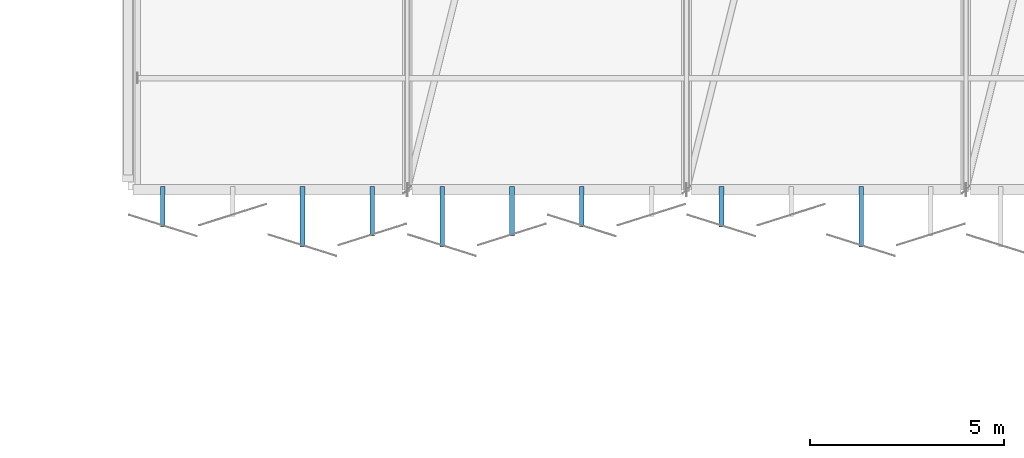
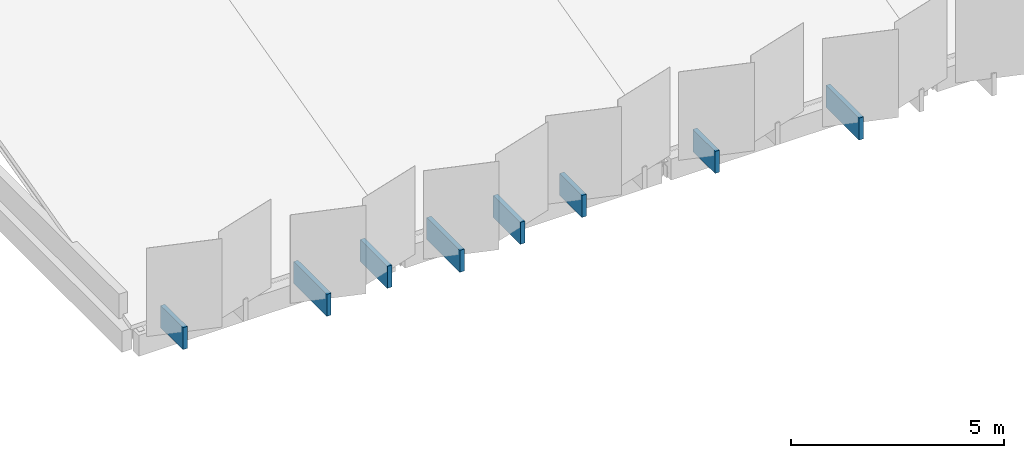
# One storey, part 93 of 108: 8 discrete accessories.
"""IFC4 building model written with IfcOpenShell, lengths in metres."""

from ifc_helpers import new_model, si_unit, direction, frame, origin, origin_2d, place, context, subcontext, project, spatial, rectangle, extrude, material, type_object, element, save


model = new_model("IFC4")

# Units and contexts
model_context = context("Model", 3, precision=1e-05, world=origin(), true_north=direction((0.0, 1.0)))
body_context = subcontext(model_context, "Body", "Model", "MODEL_VIEW")
ifc_project = project(units=[si_unit("LENGTHUNIT", "METRE"), si_unit("AREAUNIT", "SQUARE_METRE"), si_unit("VOLUMEUNIT", "CUBIC_METRE"), si_unit("PLANEANGLEUNIT", "RADIAN"), si_unit("MASSUNIT", "GRAM", prefix="KILO")], contexts=[model_context])

# Site, building, storey
site_placement = place(None, origin())
site = spatial("IfcSite", under=ifc_project, at=site_placement, CompositionType="ELEMENT")
building_placement = place(site_placement, origin())
building = spatial("IfcBuilding", under=site, at=building_placement, Name="Kangsadwip Square Police Headquarters", CompositionType="ELEMENT")
storey_placement = place(building_placement, frame((0.0, 0.0, 9.449951171875)))
storey = spatial("IfcBuildingStorey", under=building, at=storey_placement, Name="L02", CompositionType="ELEMENT", Elevation=9.449951171875)

# Discrete accessories
ifc_material = material(Name="Structural steel IS 2062 E350 (Grade 350, 350 MPa)", Category="steel")
discrete_accessory_type = type_object("IfcDiscreteAccessoryType", Name="VeilOutriggerBracket", PredefinedType="BRACKET", material=ifc_material)
discrete_accessory_1_placement = place(storey_placement, frame((44.10009765625, 85.957275390625, -0.39990234375), z_axis=(0.0, 0.0, 1.0), x_axis=(1.0, 0.0, 0.0)))
element("IfcDiscreteAccessory", 1, at=discrete_accessory_1_placement, inside=storey, type_object=discrete_accessory_type, Name="Veil Outrigger Bracket VBK-L02-0225", PredefinedType="BRACKET", context=body_context, shape_type="SweptSolid", body=[
    extrude(rectangle(XDim=0.1201171875, YDim=1.04541015625, at=origin_2d()), origin(), (0.0, 0.0, 1.0), 0.6298828125),
])
discrete_accessory_2_placement = place(storey_placement, frame((47.699951171875, 85.70263671875, -0.39990234375), z_axis=(0.0, 0.0, 1.0), x_axis=(1.0, 0.0, 0.0)))
element("IfcDiscreteAccessory", 2, at=discrete_accessory_2_placement, inside=storey, type_object=discrete_accessory_type, Name="Veil Outrigger Bracket VBK-L02-0227", PredefinedType="BRACKET", context=body_context, shape_type="SweptSolid", body=[
    extrude(rectangle(XDim=0.1201171875, YDim=1.5546875, at=origin_2d()), origin(), (0.0, 0.0, 1.0), 0.6298828125),
])
discrete_accessory_3_placement = place(storey_placement, frame((49.5, 85.8427734375, -0.39990234375), z_axis=(0.0, 0.0, 1.0), x_axis=(1.0, 0.0, 0.0)))
element("IfcDiscreteAccessory", 3, at=discrete_accessory_3_placement, inside=storey, type_object=discrete_accessory_type, Name="Veil Outrigger Bracket VBK-L02-0228", PredefinedType="BRACKET", context=body_context, shape_type="SweptSolid", body=[
    extrude(rectangle(XDim=0.1201171875, YDim=1.274658203125, at=origin_2d()), origin(), (0.0, 0.0, 1.0), 0.6298828125),
])
discrete_accessory_4_placement = place(storey_placement, frame((51.300048828125, 85.70263671875, -0.39990234375), z_axis=(0.0, 0.0, 1.0), x_axis=(1.0, 0.0, 0.0)))
element("IfcDiscreteAccessory", 4, at=discrete_accessory_4_placement, inside=storey, type_object=discrete_accessory_type, Name="Veil Outrigger Bracket VBK-L02-0229", PredefinedType="BRACKET", context=body_context, shape_type="SweptSolid", body=[
    extrude(rectangle(XDim=0.1201171875, YDim=1.5546875, at=origin_2d()), origin(), (0.0, 0.0, 1.0), 0.6298828125),
])
discrete_accessory_5_placement = place(storey_placement, frame((53.10009765625, 85.8427734375, -0.39990234375), z_axis=(0.0, 0.0, 1.0), x_axis=(1.0, 0.0, 0.0)))
element("IfcDiscreteAccessory", 5, at=discrete_accessory_5_placement, inside=storey, type_object=discrete_accessory_type, Name="Veil Outrigger Bracket VBK-L02-0230", PredefinedType="BRACKET", context=body_context, shape_type="SweptSolid", body=[
    extrude(rectangle(XDim=0.1201171875, YDim=1.274658203125, at=origin_2d()), origin(), (0.0, 0.0, 1.0), 0.6298828125),
])
for number, where, z_axis, x_axis, name in (
    (6, (54.89990234375, 85.957275390625, -0.39990234375), (0.0, 0.0, 1.0), (1.0, 0.0, 0.0), "Veil Outrigger Bracket VBK-L02-0231"),
    (7, (58.5, 85.957275390625, -0.39990234375), (0.0, 0.0, 1.0), (1.0, 0.0, 0.0), "Veil Outrigger Bracket VBK-L02-0233"),
):
    element("IfcDiscreteAccessory", number, at=place(storey_placement, frame(where, z_axis=z_axis, x_axis=x_axis)), inside=storey, type_object=discrete_accessory_type, Name=name, PredefinedType="BRACKET", context=body_context, shape_type="SweptSolid", body=[
        extrude(rectangle(XDim=0.1201171875, YDim=1.04541015625, at=origin_2d()), origin(), (0.0, 0.0, 1.0), 0.6298828125),
    ])
discrete_accessory_6_placement = place(storey_placement, frame((62.10009765625, 85.70263671875, -0.39990234375), z_axis=(0.0, 0.0, 1.0), x_axis=(1.0, 0.0, 0.0)))
element("IfcDiscreteAccessory", 8, at=discrete_accessory_6_placement, inside=storey, type_object=discrete_accessory_type, Name="Veil Outrigger Bracket VBK-L02-0235", PredefinedType="BRACKET", context=body_context, shape_type="SweptSolid", body=[
    extrude(rectangle(XDim=0.1201171875, YDim=1.5546875, at=origin_2d()), origin(), (0.0, 0.0, 1.0), 0.6298828125),
])

save(model, "model.ifc")
